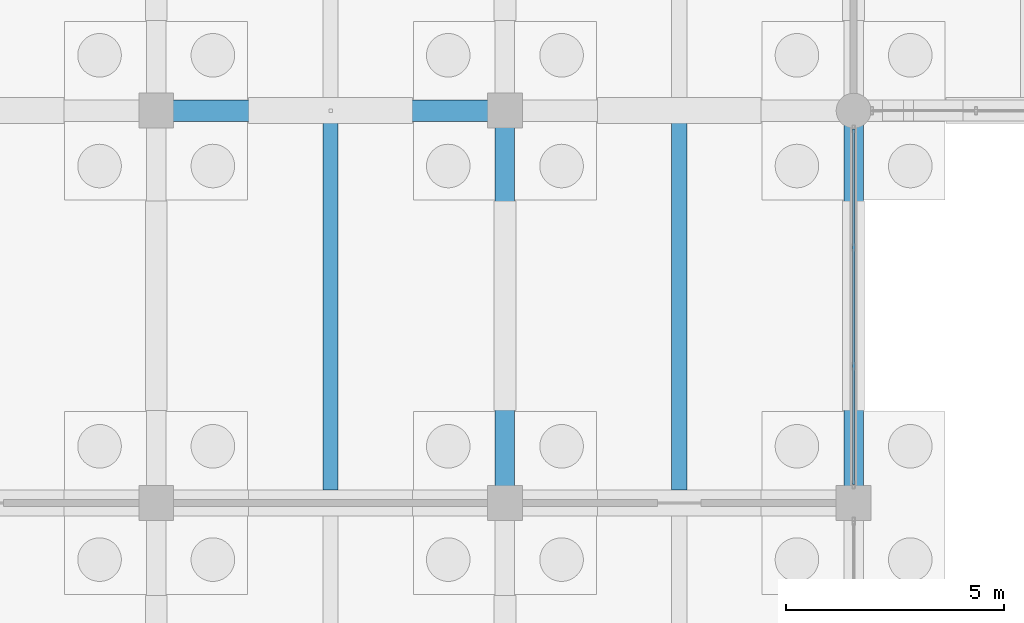
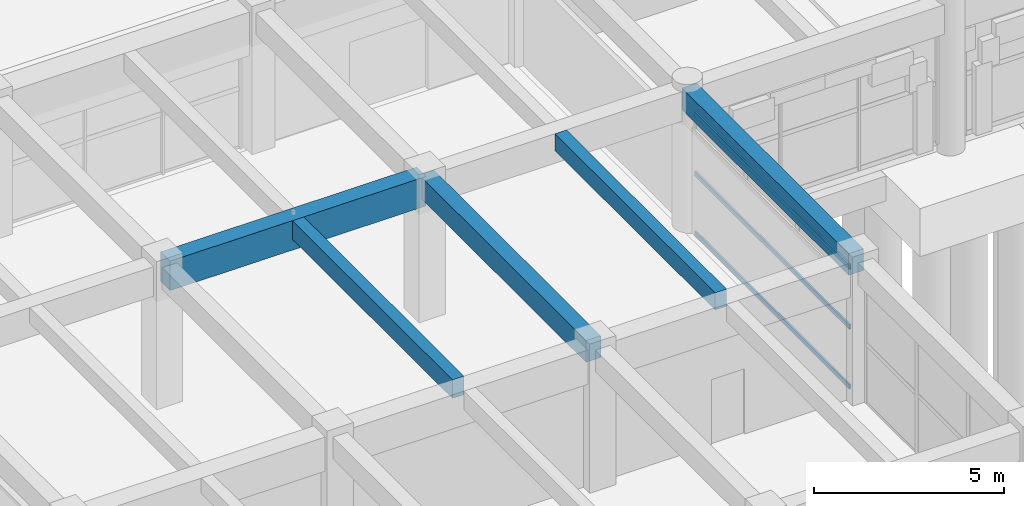
# One storey, part 36 of 147: 5 beams, 3 members, 1 element without a shape of its own.
"""IFC4 building model written with IfcOpenShell, lengths in metres."""

from ifc_helpers import new_model, si_unit, direction, frame, origin, origin_2d, place, context, subcontext, project, spatial, rectangle, hollow_rectangle, extrude, material, material_profile, profile_set, type_object, element, aggregate, save


model = new_model("IFC4")

# Units and contexts
model_context = context("Model", 3, precision=1e-05, world=origin(), true_north=direction((0.0, 1.0)))
body_context = subcontext(model_context, "Body", "Model", "MODEL_VIEW")
ifc_project = project(units=[si_unit("LENGTHUNIT", "METRE"), si_unit("AREAUNIT", "SQUARE_METRE"), si_unit("VOLUMEUNIT", "CUBIC_METRE"), si_unit("PLANEANGLEUNIT", "RADIAN"), si_unit("MASSUNIT", "GRAM", prefix="KILO")], contexts=[model_context])

# Site, building, storey
site_placement = place(None, origin())
site = spatial("IfcSite", under=ifc_project, at=site_placement, CompositionType="ELEMENT")
building_placement = place(site_placement, origin())
building = spatial("IfcBuilding", under=site, at=building_placement, Name="Varnabhumi Central Station", CompositionType="ELEMENT")
storey_placement = place(building_placement, origin())
storey = spatial("IfcBuildingStorey", under=building, at=storey_placement, Name="L00", CompositionType="ELEMENT", Elevation=0.0)

# Beams
ifc_material_1 = material(Name="Concrete M40", Category="concrete")
ifc_material_profile_1 = material_profile(ifc_material_1, rectangle(XDim=0.35009765625, YDim=0.550048828125, at=origin_2d()), Name="Concrete M40", Category="concrete")
ifc_profile_set_1 = profile_set([ifc_material_profile_1], Name="Concrete M40")
beam_type_1 = type_object("IfcBeamType", Name="BM-RC-350x550", PredefinedType="JOIST", material=ifc_profile_set_1)
beam_1_placement = place(storey_placement, frame((108.0, 18.300048828125, 4.27490234375), z_axis=(0.0, 1.0, 0.0), x_axis=(-1.0, 0.0, 0.0)))
element("IfcBeam", 1, at=beam_1_placement, inside=storey, type_object=beam_type_1, Name="Secondary Joist L00-14/15:C-D", PredefinedType="JOIST", context=body_context, shape_type="SweptSolid", body=[
    extrude(rectangle(XDim=0.35009765625, YDim=0.550048828125, at=origin_2d()), origin(), (0.0, 0.0, 1.0), 8.449951171875),
])
ifc_material_profile_2 = material_profile(ifc_material_1, rectangle(XDim=0.449951171875, YDim=0.699951171875, at=origin_2d()), Name="Concrete M40", Category="concrete")
ifc_profile_set_2 = profile_set([ifc_material_profile_2], Name="Concrete M40")
beam_type_2 = type_object("IfcBeamType", Name="BM-RC-450x700", PredefinedType="BEAM", material=ifc_profile_set_2)
for number, where, z_axis, x_axis, name in (
    (2, (104.0, 18.10009765625, 4.199951171875), (0.0, 1.0, 0.0), (-1.0, 0.0, 0.0), "Beam L00-14:C-D"),
    (3, (112.0, 18.10009765625, 4.199951171875), (0.0, 1.0, 0.0), (-1.0, 0.0, 0.0), "Beam L00-15:C-D"),
):
    element("IfcBeam", number, at=place(storey_placement, frame(where, z_axis=z_axis, x_axis=x_axis)), inside=storey, type_object=beam_type_2, Name=name, PredefinedType="BEAM", context=body_context, shape_type="SweptSolid", body=[
        extrude(rectangle(XDim=0.449951171875, YDim=0.699951171875, at=origin_2d()), origin(), (0.0, 0.0, 1.0), 8.7998046875),
    ])
ifc_material_profile_3 = material_profile(ifc_material_1, rectangle(XDim=0.5, YDim=0.949951171875, at=origin_2d()), Name="Concrete M40", Category="concrete")
ifc_profile_set_3 = profile_set([ifc_material_profile_3], Name="Concrete M40")
beam_type_3 = type_object("IfcBeamType", Name="BM-RC-500x950", PredefinedType="BEAM", material=ifc_profile_set_3)
beam_2_placement = place(storey_placement, frame((96.10009765625, 27.0, 4.074951171875), z_axis=(1.0, 0.0, 0.0), x_axis=(0.0, 1.0, 0.0)))
element("IfcBeam", 4, at=beam_2_placement, inside=storey, type_object=beam_type_3, Name="Beam L00-D:13-14", PredefinedType="BEAM", context=body_context, shape_type="SweptSolid", body=[
    extrude(rectangle(XDim=0.5, YDim=0.949951171875, at=origin_2d()), origin(), (0.0, 0.0, 1.0), 7.7998046875),
])
ifc_material_profile_4 = material_profile(ifc_material_1, rectangle(XDim=0.35009765625, YDim=0.60009765625, at=origin_2d()), Name="Concrete M40", Category="concrete")
ifc_profile_set_4 = profile_set([ifc_material_profile_4], Name="Concrete M40")
beam_type_4 = type_object("IfcBeamType", Name="BM-RC-600x350", PredefinedType="JOIST", material=ifc_profile_set_4)
beam_3_placement = place(storey_placement, frame((100.0, 18.300048828125, 4.25), z_axis=(0.0, 1.0, 0.0), x_axis=(-1.0, 0.0, 0.0)))
element("IfcBeam", 5, at=beam_3_placement, inside=storey, type_object=beam_type_4, Name="Secondary Joist L00-13/14:C-D", PredefinedType="JOIST", context=body_context, shape_type="SweptSolid", body=[
    extrude(rectangle(XDim=0.35009765625, YDim=0.60009765625, at=origin_2d()), origin(), (0.0, 0.0, 1.0), 8.449951171875),
])

# Curtain wall, members
ifc_material_2 = material(Name="Anodised aluminium 6063-T6", Category="aluminium")
curtain_wall_type = type_object("IfcCurtainWallType", Name="CW-PATIO-LOGGIA-L0", PredefinedType="NOTDEFINED", material=ifc_material_2)
curtain_wall_placement = place(storey_placement, origin())
curtain_wall = element("IfcCurtainWall", 6, at=curtain_wall_placement, inside=storey, type_object=curtain_wall_type, Name="Curtain Wall CW-SP0E2", PredefinedType="NOTDEFINED")
ifc_material_profile_5 = material_profile(ifc_material_2, hollow_rectangle(XDim=0.06005859375, YDim=0.14990234375, WallThickness=0.00390625, InnerFilletRadius=0.001953125, OuterFilletRadius=0.006103515625, at=origin_2d()), Name="Anodised aluminium 6063-T6", Category="aluminium")
ifc_profile_set_5 = profile_set([ifc_material_profile_5], Name="Anodised aluminium 6063-T6")
member_type = type_object("IfcMemberType", Name="CW-TR-150", PredefinedType="USERDEFINED", material=ifc_profile_set_5)
member_1_placement = place(storey_placement, frame((112.0, 18.419921875, 0.0), z_axis=(0.0, 1.0, 0.0), x_axis=(-1.0, 0.0, 0.0)))
member_1 = element("IfcMember", 7, at=member_1_placement, type_object=member_type, Name="Curtain Wall Transom CW-SP0E2-T1", ObjectType="TRANSOM", PredefinedType="USERDEFINED", context=body_context, shape_type="SweptSolid", body=[
    extrude(hollow_rectangle(XDim=0.06005859375, YDim=0.14990234375, WallThickness=0.00390625, InnerFilletRadius=0.001953125, OuterFilletRadius=0.006103515625, at=origin_2d()), origin(), (0.0, 0.0, 1.0), 8.16015625),
])
member_2_placement = place(storey_placement, frame((112.0, 18.419921875, 1.919921875), z_axis=(0.0, 1.0, 0.0), x_axis=(-1.0, 0.0, 0.0)))
member_2 = element("IfcMember", 8, at=member_2_placement, type_object=member_type, Name="Curtain Wall Transom CW-SP0E2-T2", ObjectType="TRANSOM", PredefinedType="USERDEFINED", context=body_context, shape_type="SweptSolid", body=[
    extrude(hollow_rectangle(XDim=0.06005859375, YDim=0.14990234375, WallThickness=0.00390625, InnerFilletRadius=0.001953125, OuterFilletRadius=0.006103515625, at=origin_2d()), origin(), (0.0, 0.0, 1.0), 8.16015625),
])
member_3_placement = place(storey_placement, frame((112.0, 18.419921875, 3.840087890625), z_axis=(0.0, 1.0, 0.0), x_axis=(-1.0, 0.0, 0.0)))
member_3 = element("IfcMember", 9, at=member_3_placement, type_object=member_type, Name="Curtain Wall Transom CW-SP0E2-T3", ObjectType="TRANSOM", PredefinedType="USERDEFINED", context=body_context, shape_type="SweptSolid", body=[
    extrude(hollow_rectangle(XDim=0.06005859375, YDim=0.14990234375, WallThickness=0.00390625, InnerFilletRadius=0.001953125, OuterFilletRadius=0.006103515625, at=origin_2d()), origin(), (0.0, 0.0, 1.0), 8.16015625),
])
aggregate(curtain_wall, [member_1, member_2, member_3])

save(model, "model.ifc")
